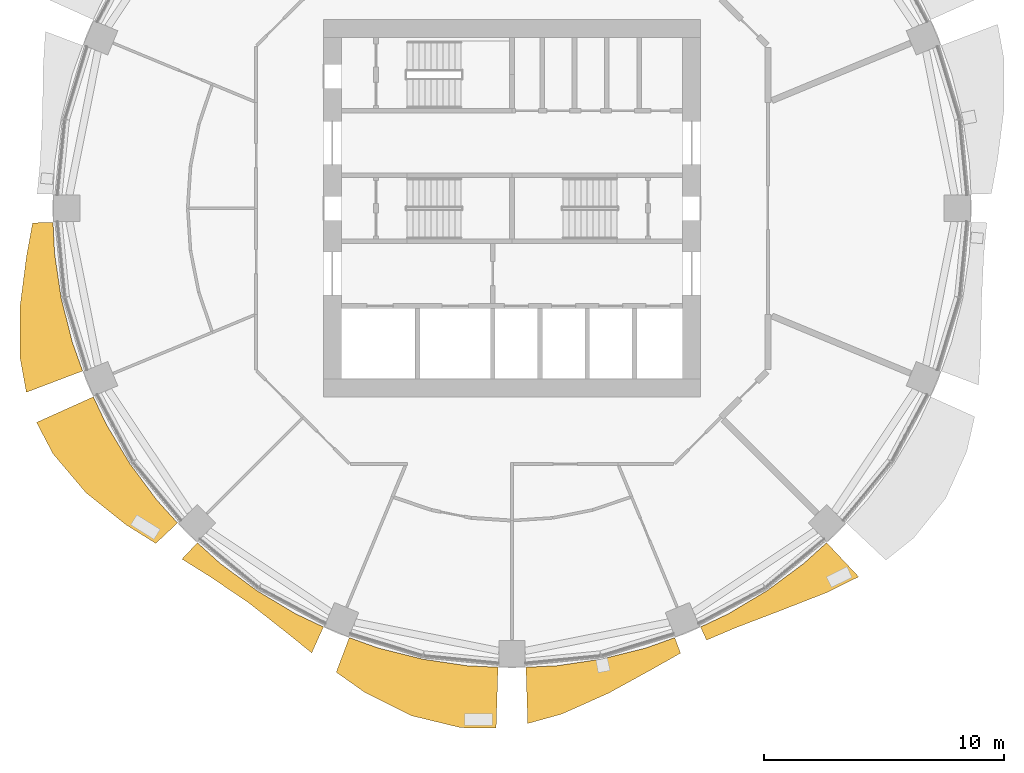
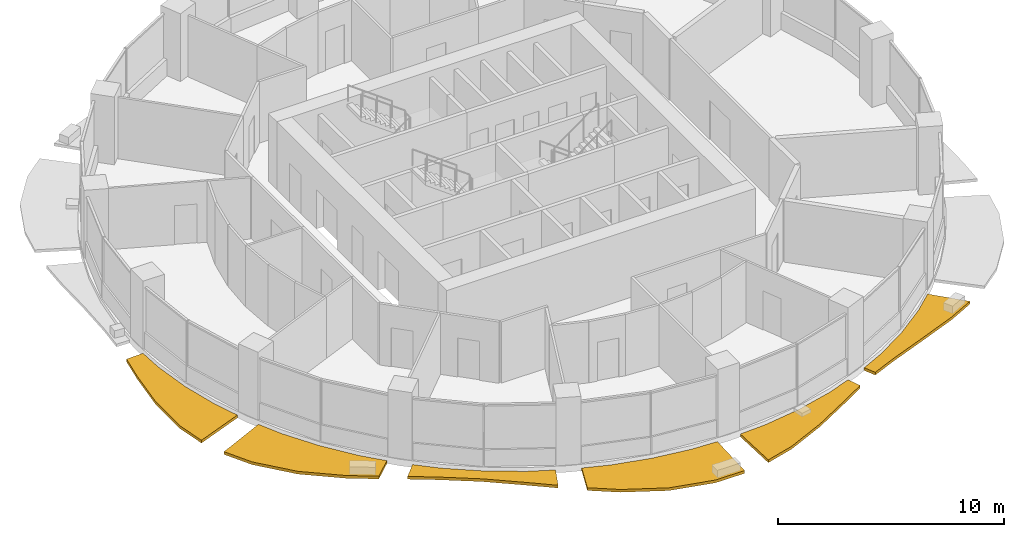
# One storey, part 11 of 14: 6 shading devices.
"""IFC4 building model written with IfcOpenShell, lengths in metres."""

from ifc_helpers import new_model, si_unit, direction, frame, origin, place, context, subcontext, project, spatial, polyline, outline, extrude, material, type_object, element, save


model = new_model("IFC4")

# Units and contexts
model_context = context("Model", 3, precision=1e-05, world=origin(), true_north=direction((0.0, 1.0)))
body_context = subcontext(model_context, "Body", "Model", "MODEL_VIEW")
ifc_project = project(units=[si_unit("LENGTHUNIT", "METRE"), si_unit("AREAUNIT", "SQUARE_METRE"), si_unit("VOLUMEUNIT", "CUBIC_METRE"), si_unit("PLANEANGLEUNIT", "RADIAN"), si_unit("MASSUNIT", "GRAM", prefix="KILO")], contexts=[model_context])

# Site, building, storey
site_placement = place(None, origin())
site = spatial("IfcSite", under=ifc_project, at=site_placement, CompositionType="ELEMENT")
building_placement = place(site_placement, origin())
building = spatial("IfcBuilding", under=site, at=building_placement, Name="Polderwave Tower", CompositionType="ELEMENT")
storey_placement = place(building_placement, frame((0.0, 0.0, 105.60009765625)))
storey = spatial("IfcBuildingStorey", under=building, at=storey_placement, Name="L27", CompositionType="ELEMENT", Elevation=105.60009765625)

# Shading devices
ifc_material = material(Name="Terracotta", Category="masonry")
shading_device_type = type_object("IfcShadingDeviceType", Name="Terracotta sunshade band", PredefinedType="USERDEFINED", material=ifc_material)
shading_device_1_placement = place(storey_placement, frame((0.0, 0.0, -0.35009765625)))
element("IfcShadingDevice", 1, at=shading_device_1_placement, inside=storey, type_object=shading_device_type, Name="Sunshade band L27 9", ObjectType="SUNSHADE", PredefinedType="USERDEFINED", context=body_context, shape_type="SweptSolid", body=[
    extrude(outline(polyline([(-19.1513671875, -0.584228515625), (-19.087646484375, -1.8798828125), (-18.8115234375, -3.74169921875), (-18.35400390625, -5.567626953125), (-17.9169921875, -6.789306640625), (-20.2646484375, -7.6787109375), (-20.529296875, -6.2275390625), (-20.526611328125, -4.0830078125), (-20.25634765625, -1.9951171875), (-20.00244140625, -0.610107421875), (-19.1513671875, -0.584228515625)])), origin(), (0.0, 0.0, 1.0), 0.14990234375),
])
shading_device_2_placement = place(storey_placement, frame((0.0, 0.0, -0.35009765625)))
element("IfcShadingDevice", 2, at=shading_device_2_placement, inside=storey, type_object=shading_device_type, Name="Sunshade band L27 10", ObjectType="SUNSHADE", PredefinedType="USERDEFINED", context=body_context, shape_type="SweptSolid", body=[
    extrude(outline(polyline([(-17.469970703125, -7.86865234375), (-16.915283203125, -9.04150390625), (-15.947509765625, -10.65576171875), (-14.826416015625, -12.167724609375), (-13.955078125, -13.12890625), (-14.864501953125, -13.984619140625), (-16.099609375, -13.21240234375), (-17.771728515625, -11.874755859375), (-19.156005859375, -10.239013671875), (-19.8388671875, -8.935546875), (-17.469970703125, -7.86865234375)])), origin(), (0.0, 0.0, 1.0), 0.14990234375),
])
shading_device_3_placement = place(storey_placement, frame((0.0, 0.0, -0.35009765625)))
element("IfcShadingDevice", 3, at=shading_device_3_placement, inside=storey, type_object=shading_device_type, Name="Sunshade band L27 11", ObjectType="SUNSHADE", PredefinedType="USERDEFINED", context=body_context, shape_type="SweptSolid", body=[
    extrude(outline(polyline([(-13.12890625, -13.955078125), (-12.167724609375, -14.826416015625), (-10.65576171875, -15.947509765625), (-9.04150390625, -16.915283203125), (-7.86865234375, -17.469970703125), (-8.35595703125, -18.5517578125), (-9.447021484375, -17.674072265625), (-10.995361328125, -16.455810546875), (-12.608642578125, -15.36376953125), (-13.77099609375, -14.637451171875), (-13.12890625, -13.955078125)])), origin(), (0.0, 0.0, 1.0), 0.14990234375),
])
shading_device_4_placement = place(storey_placement, frame((0.0, 0.0, -0.35009765625)))
element("IfcShadingDevice", 4, at=shading_device_4_placement, inside=storey, type_object=shading_device_type, Name="Sunshade band L27 12", ObjectType="SUNSHADE", PredefinedType="USERDEFINED", context=body_context, shape_type="SweptSolid", body=[
    extrude(outline(polyline([(-6.789306640625, -17.9169921875), (-5.567626953125, -18.35400390625), (-3.74169921875, -18.8115234375), (-1.8798828125, -19.087646484375), (-0.584228515625, -19.1513671875), (-0.66162109375, -21.686279296875), (-2.134765625, -21.674072265625), (-4.2109375, -21.169677734375), (-6.130615234375, -20.20947265625), (-7.334716796875, -19.356689453125), (-6.789306640625, -17.9169921875)])), origin(), (0.0, 0.0, 1.0), 0.14990234375),
])
shading_device_5_placement = place(storey_placement, frame((0.0, 0.0, -0.35009765625)))
element("IfcShadingDevice", 5, at=shading_device_5_placement, inside=storey, type_object=shading_device_type, Name="Sunshade band L27 13", ObjectType="SUNSHADE", PredefinedType="USERDEFINED", context=body_context, shape_type="SweptSolid", body=[
    extrude(outline(polyline([(0.584228515625, -19.1513671875), (1.8798828125, -19.087646484375), (3.74169921875, -18.8115234375), (5.567626953125, -18.35400390625), (6.789306640625, -17.9169921875), (7.033447265625, -18.561767578125), (5.836669921875, -19.2412109375), (4.02490234375, -20.23486328125), (2.07861328125, -21.103515625), (0.65576171875, -21.498779296875), (0.584228515625, -19.1513671875)])), origin(), (0.0, 0.0, 1.0), 0.14990234375),
])
shading_device_6_placement = place(storey_placement, frame((0.0, 0.0, -0.35009765625)))
element("IfcShadingDevice", 6, at=shading_device_6_placement, inside=storey, type_object=shading_device_type, Name="Sunshade band L27 14", ObjectType="SUNSHADE", PredefinedType="USERDEFINED", context=body_context, shape_type="SweptSolid", body=[
    extrude(outline(polyline([(7.86865234375, -17.469970703125), (9.04150390625, -16.915283203125), (10.65576171875, -15.947509765625), (12.167724609375, -14.826416015625), (13.12890625, -13.955078125), (14.466064453125, -15.37646484375), (13.15283203125, -16.02685546875), (11.214599609375, -16.783935546875), (9.35205078125, -17.49658203125), (8.11572265625, -18.018798828125), (7.86865234375, -17.469970703125)])), origin(), (0.0, 0.0, 1.0), 0.14990234375),
])

save(model, "model.ifc")
